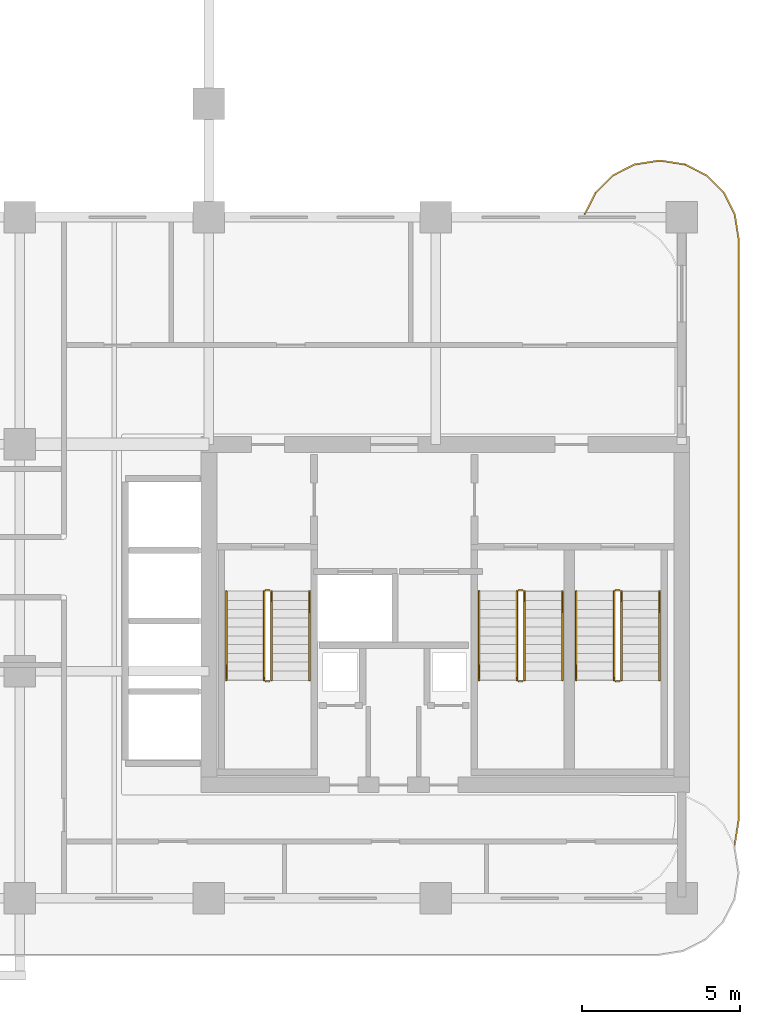
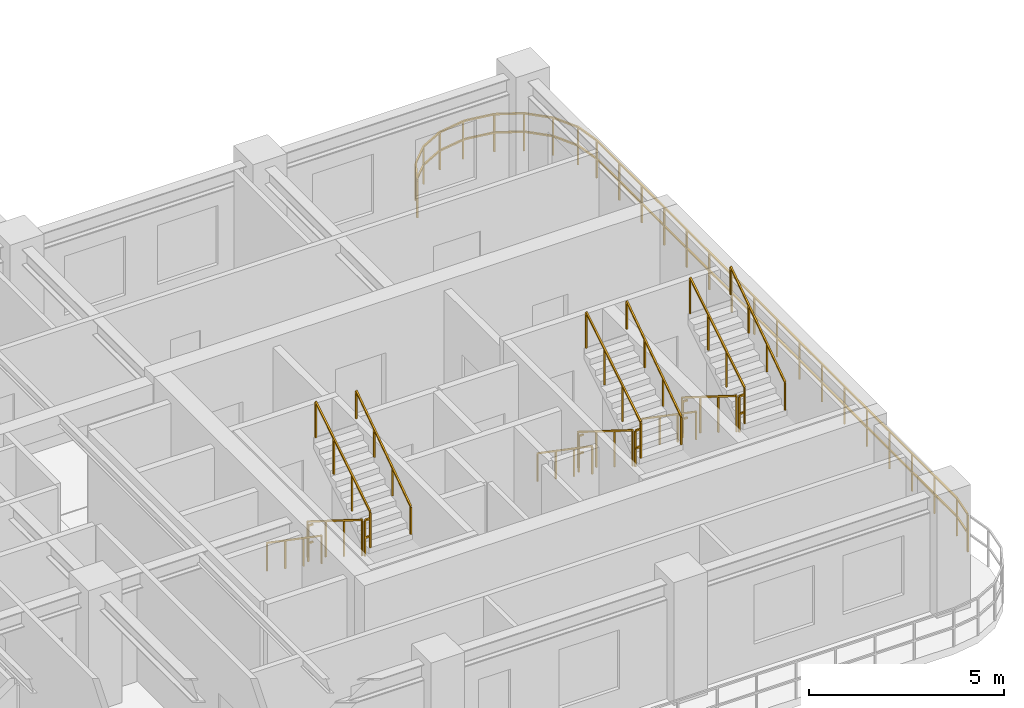
# One storey, part 12 of 14: 19 railings.
"""IFC4 building model written with IfcOpenShell, lengths in metres."""

import ifcopenshell
import ifcopenshell.guid

model = None  # the IFC model being written
_history = None  # IfcOwnerHistory: only IFC2X3 demands one
_inside = {}  # id of a spatial element -> (the spatial element, [elements in it])
_under = {}  # id of a project, library or spatial element -> (it, [spatial elements below it])
_declared = {}  # id of a project -> (the project, [libraries it declares])
_typed = {}  # id of a type object -> (the type object, [elements of that type])
_made_of = {}  # id of a material, layer set ... -> (it, [elements and type objects made of it])


def new_model(schema):
    """Start an empty IFC model of exactly this schema.

    Asked for "IFC4X3", IfcOpenShell would pick the latest addendum, in which some entities
    have other attributes; the version numbers below select the first issue.
    IFC2X3 requires an IfcOwnerHistory on every rooted entity: one is made here for all.
    """
    global model, _history
    if schema == "IFC4X3":
        model = ifcopenshell.file(schema_version=(4, 3, 0, 0))
    else:
        model = ifcopenshell.file(schema=schema)
    _inside.clear()
    _under.clear()
    _declared.clear()
    _typed.clear()
    _made_of.clear()
    _history = None
    if model.schema == "IFC2X3":
        org = make("IfcOrganization", Name="unknown")
        user = make(
            "IfcPersonAndOrganization",
            ThePerson=make("IfcPerson", FamilyName="unknown"),
            TheOrganization=org,
        )
        app = make(
            "IfcApplication",
            ApplicationDeveloper=org,
            Version="unknown",
            ApplicationFullName="unknown",
            ApplicationIdentifier="unknown",
        )
        _history = make(
            "IfcOwnerHistory",
            OwningUser=user,
            OwningApplication=app,
            ChangeAction="ADDED",
            CreationDate=0,
        )
    return model


def make(cls, **values):
    """One entity of the class cls with the attributes given. An attribute that is None is left unset."""
    return model.create_entity(
        cls, **{name: value for name, value in values.items() if value is not None}
    )


def rooted(cls, **values):
    """An entity with a GlobalId (a new one), such as an element, a storey or a relation."""
    return make(cls, GlobalId=ifcopenshell.guid.new(), OwnerHistory=_history, **values)


def si_unit(unit_type, name, prefix=None):
    """IfcSIUnit, for example si_unit("LENGTHUNIT", "METRE", prefix="MILLI")."""
    return make("IfcSIUnit", UnitType=unit_type, Prefix=prefix, Name=name)


def derived_unit(unit_type, elements):
    """IfcDerivedUnit: a product of units, each with its exponent."""
    return make(
        "IfcDerivedUnit",
        Elements=[
            make("IfcDerivedUnitElement", Unit=unit, Exponent=power)
            for unit, power in elements
        ],
        UnitType=unit_type,
    )


def assignment(units):
    """IfcUnitAssignment: the units of a project."""
    return None if units is None else make("IfcUnitAssignment", Units=units)


def point(xyz):
    """IfcCartesianPoint."""
    return None if xyz is None else make("IfcCartesianPoint", Coordinates=xyz)


def direction(xyz):
    """IfcDirection."""
    return None if xyz is None else make("IfcDirection", DirectionRatios=xyz)


def frame(location, z_axis=None, x_axis=None):
    """IfcAxis2Placement3D, a coordinate frame: its origin and axes. An axis left out is left unset."""
    return make(
        "IfcAxis2Placement3D",
        Location=point(location),
        Axis=direction(z_axis),
        RefDirection=direction(x_axis),
    )


def frame_2d(location, x_axis=None):
    """IfcAxis2Placement2D, a coordinate frame in the plane: its origin and x axis."""
    return make(
        "IfcAxis2Placement2D", Location=point(location), RefDirection=direction(x_axis)
    )


def origin():
    """The frame at (0, 0, 0) with its axes left unset."""
    return frame((0.0, 0.0, 0.0))


def origin_2d():
    """The frame at (0, 0) in the plane with its x axis left unset."""
    return frame_2d((0.0, 0.0))


def place(relative_to, where):
    """IfcLocalPlacement: puts the frame where relative to a parent placement (None: the world)."""
    return make(
        "IfcLocalPlacement", PlacementRelTo=relative_to, RelativePlacement=where
    )


def context(
    kind, dimensions, precision=None, world=None, true_north=None, identifier=None
):
    """IfcGeometricRepresentationContext, for example the 3D "Model" context."""
    return make(
        "IfcGeometricRepresentationContext",
        ContextIdentifier=identifier,
        ContextType=kind,
        CoordinateSpaceDimension=dimensions,
        Precision=precision,
        WorldCoordinateSystem=world,
        TrueNorth=true_north,
    )


def subcontext(parent, identifier, kind, view, scale=None):
    """IfcGeometricRepresentationSubContext, for example "Body" below "Model"."""
    return make(
        "IfcGeometricRepresentationSubContext",
        ContextIdentifier=identifier,
        ContextType=kind,
        ParentContext=parent,
        TargetScale=scale,
        TargetView=view,
    )


def project(units=None, contexts=None):
    """IfcProject with its units and contexts."""
    return rooted(
        "IfcProject",
        Name="project",
        RepresentationContexts=contexts,
        UnitsInContext=assignment(units),
    )


def spatial(cls, under=None, at=None, **own):
    """A site, building, storey or space (cls), placed at a placement, below another one or the project."""
    s = rooted(cls, ObjectPlacement=at, **own)
    if under is not None:
        _under.setdefault(under.id(), (under, []))[1].append(s)
    return s


def profile(cls, at=None, kind="AREA", **sizes):
    """A parametric profile (cls). Its sizes go by their IFC names, for example OverallWidth=200.0."""
    return make(cls, ProfileType=kind, Position=at, **sizes)


def rectangle(**sizes):
    """IfcRectangleProfileDef."""
    return profile("IfcRectangleProfileDef", **sizes)


def extrude(swept, where, along, depth):
    """IfcExtrudedAreaSolid: the profile swept, set in the frame where, extruded along a direction by depth."""
    return make(
        "IfcExtrudedAreaSolid",
        SweptArea=swept,
        Position=where,
        ExtrudedDirection=direction(along),
        Depth=depth,
    )


def shape(context_of_items, identifier, shape_type, items):
    """IfcShapeRepresentation: the items that make up one representation, for example the "Body"."""
    return make(
        "IfcShapeRepresentation",
        ContextOfItems=context_of_items,
        RepresentationIdentifier=identifier,
        RepresentationType=shape_type,
        Items=items,
    )


def material(Name=None, Category=None):
    """IfcMaterial."""
    return make("IfcMaterial", Name=Name, Category=Category)


def made_of(thing, what):
    """Note that an element or type object is made of a material, layer set ...; save() writes the relation."""
    if what is not None:
        _made_of.setdefault(what.id(), (what, []))[1].append(thing)
    return thing


def type_object(cls, material=None, **own):
    """A type object (cls), such as IfcWallType, which elements share."""
    return made_of(rooted(cls, **own), material)


def element(
    cls,
    number,
    at=None,
    inside=None,
    cuts=None,
    type_object=None,
    material=None,
    context=None,
    identifier="Body",
    shape_type=None,
    held_by="IfcProductDefinitionShape",
    body=None,
    shapes=None,
    **own,
):
    """One element of the class cls, such as IfcWall. Its Tag is "e" and its number.

    at: its placement. inside: the storey or other place that contains it. cuts: it is an
    opening in that element (IfcRelVoidsElement). A single representation is given by context,
    identifier, shape_type and body (its items); several are given by shapes. held_by: the class
    of the entity that holds the representations. save() writes the other relations.
    """
    e = rooted(cls, Tag="e%d" % number, ObjectPlacement=at, **own)
    if body is not None:
        shapes = [shape(context, identifier, shape_type, body)]
    if shapes is not None:
        e.Representation = make(held_by, Representations=shapes)
    if inside is not None:
        _inside.setdefault(inside.id(), (inside, []))[1].append(e)
    if cuts is not None:
        rooted(
            "IfcRelVoidsElement", RelatingBuildingElement=cuts, RelatedOpeningElement=e
        )
    if type_object is not None:
        _typed.setdefault(type_object.id(), (type_object, []))[1].append(e)
    return made_of(e, material)


def aggregate(whole, parts):
    """IfcRelAggregates: a whole, such as a stair, and the parts it consists of."""
    return rooted("IfcRelAggregates", RelatingObject=whole, RelatedObjects=parts)


def save(model, path):
    """Write the relations noted so far, then the file.

    IfcRelAggregates (storeys below a building ...), IfcRelContainedInSpatialStructure (elements
    in a storey), IfcRelDefinesByType, IfcRelAssociatesMaterial and IfcRelDeclares: one each for
    every whole, place, type object, material and project.
    """
    for whole, parts in _under.values():
        aggregate(whole, parts)
    for where, things in _inside.values():
        rooted(
            "IfcRelContainedInSpatialStructure",
            RelatedElements=things,
            RelatingStructure=where,
        )
    for kind, things in _typed.values():
        rooted("IfcRelDefinesByType", RelatedObjects=things, RelatingType=kind)
    for what, things in _made_of.values():
        rooted("IfcRelAssociatesMaterial", RelatedObjects=things, RelatingMaterial=what)
    for by, libraries in _declared.values():
        rooted("IfcRelDeclares", RelatingContext=by, RelatedDefinitions=libraries)
    model.write(path)


model = new_model("IFC4")

# Units and contexts
model_context = context("Model", 3, precision=1e-05, world=origin(), true_north=direction((0.0, 1.0)))
body_context = subcontext(model_context, "Body", "Model", "MODEL_VIEW")
ifc_project = project(units=[si_unit("LENGTHUNIT", "METRE"), si_unit("AREAUNIT", "SQUARE_METRE"), si_unit("VOLUMEUNIT", "CUBIC_METRE"), si_unit("PLANEANGLEUNIT", "RADIAN"), si_unit("MASSUNIT", "GRAM", prefix="KILO"), si_unit("THERMODYNAMICTEMPERATUREUNIT", "KELVIN"), si_unit("POWERUNIT", "WATT"), derived_unit("THERMALTRANSMITTANCEUNIT", [(si_unit("POWERUNIT", "WATT"), 1), (si_unit("AREAUNIT", "SQUARE_METRE"), -1), (si_unit("THERMODYNAMICTEMPERATUREUNIT", "KELVIN"), -1)])], contexts=[model_context])

# Site, building, storey
site_placement = place(None, origin())
site = spatial("IfcSite", under=ifc_project, at=site_placement, CompositionType="ELEMENT")
building_placement = place(site_placement, origin())
building = spatial("IfcBuilding", under=site, at=building_placement, Name="Zahravan Archway Hotel and Residences", CompositionType="ELEMENT")
storey_placement = place(building_placement, frame((0.0, 0.0, 188.800048828125)))
storey = spatial("IfcBuildingStorey", under=building, at=storey_placement, Name="L47", CompositionType="ELEMENT", Elevation=188.800048828125)

# Railings
ifc_material_1 = material(Name="Bronze & Laminated Glass Balustrade", Category="glass")
railing_type_1 = type_object("IfcRailingType", Name="RL-BAL-1200", PredefinedType="BALUSTRADE", material=ifc_material_1)
railing_1_placement = place(storey_placement, frame((46.719970703125, 21.70703125, 0.0)))
element("IfcRailing", 1, at=railing_1_placement, inside=storey, type_object=railing_type_1, Name="L47 Balustrade RL-SLB-BAL-L47-EA-1", PredefinedType="BALUSTRADE", context=body_context, shape_type="SweptSolid", body=[
    extrude(rectangle(XDim=0.048095703125, YDim=0.048095703125, at=origin_2d()), frame((0.0, 0.0, 1.17578125), z_axis=(0.453825591531, 0.891090529897, 0.0), x_axis=(-0.891090529897, 0.453825591531, 0.0)), (0.0, 0.0, 1.0), 0.7666015625),
    extrude(rectangle(XDim=0.048095703125, YDim=0.048095703125, at=origin_2d()), frame((0.0, 0.0, 0.60009765625), z_axis=(0.453825591531, 0.891090529897, 0.0), x_axis=(-0.891090529897, 0.453825591531, 0.0)), (0.0, 0.0, 1.0), 0.7666015625),
    extrude(rectangle(XDim=0.048095703125, YDim=0.048095703125, at=origin_2d()), frame((0.347900390625, 0.68310546875, 1.17578125), z_axis=(0.707106781187, 0.707106781187, 0.0), x_axis=(-0.707106781187, 0.707106781187, 0.0)), (0.0, 0.0, 1.0), 0.7666015625),
    extrude(rectangle(XDim=0.048095703125, YDim=0.048095703125, at=origin_2d()), frame((0.347900390625, 0.68310546875, 0.60009765625), z_axis=(0.707106781187, 0.707106781187, 0.0), x_axis=(-0.707106781187, 0.707106781187, 0.0)), (0.0, 0.0, 1.0), 0.7666015625),
    extrude(rectangle(XDim=0.048095703125, YDim=0.048095703125, at=origin_2d()), frame((0.889892578125, 1.22509765625, 1.17578125), z_axis=(0.891090529897, 0.453825591531, 0.0), x_axis=(-0.453825591531, 0.891090529897, 0.0)), (0.0, 0.0, 1.0), 0.7666015625),
    extrude(rectangle(XDim=0.048095703125, YDim=0.048095703125, at=origin_2d()), frame((0.889892578125, 1.22509765625, 0.60009765625), z_axis=(0.891090529897, 0.453825591531, 0.0), x_axis=(-0.453825591531, 0.891090529897, 0.0)), (0.0, 0.0, 1.0), 0.7666015625),
    extrude(rectangle(XDim=0.048095703125, YDim=0.048095703125, at=origin_2d()), frame((1.572998046875, 1.572998046875, 1.17578125), z_axis=(0.987695728695, 0.156387811283, 0.0), x_axis=(-0.156387811283, 0.987695728695, 0.0)), (0.0, 0.0, 1.0), 0.7666015625),
    extrude(rectangle(XDim=0.048095703125, YDim=0.048095703125, at=origin_2d()), frame((1.572998046875, 1.572998046875, 0.60009765625), z_axis=(0.987695728695, 0.156387811283, 0.0), x_axis=(-0.156387811283, 0.987695728695, 0.0)), (0.0, 0.0, 1.0), 0.7666015625),
    extrude(rectangle(XDim=0.048095703125, YDim=0.048095703125, at=origin_2d()), frame((2.330078125, 1.69287109375, 1.17578125), z_axis=(1.0, 0.0, 0.0), x_axis=(0.0, 1.0, 0.0)), (0.0, 0.0, 1.0), 0.099853515625),
    extrude(rectangle(XDim=0.048095703125, YDim=0.048095703125, at=origin_2d()), frame((2.330078125, 1.69287109375, 0.60009765625), z_axis=(1.0, 0.0, 0.0), x_axis=(0.0, 1.0, 0.0)), (0.0, 0.0, 1.0), 0.099853515625),
    extrude(rectangle(XDim=0.048095703125, YDim=0.048095703125, at=origin_2d()), frame((2.429931640625, 1.69287109375, 1.17578125), z_axis=(0.987695728695, -0.156387811283, 0.0), x_axis=(0.156387811283, 0.987695728695, 0.0)), (0.0, 0.0, 1.0), 0.7666015625),
    extrude(rectangle(XDim=0.048095703125, YDim=0.048095703125, at=origin_2d()), frame((2.429931640625, 1.69287109375, 0.60009765625), z_axis=(0.987695728695, -0.156387811283, 0.0), x_axis=(0.156387811283, 0.987695728695, 0.0)), (0.0, 0.0, 1.0), 0.7666015625),
    extrude(rectangle(XDim=0.048095703125, YDim=0.048095703125, at=origin_2d()), frame((3.18701171875, 1.572998046875, 1.17578125), z_axis=(0.891090529897, -0.453825591531, 0.0), x_axis=(0.453825591531, 0.891090529897, 0.0)), (0.0, 0.0, 1.0), 0.7666015625),
    extrude(rectangle(XDim=0.048095703125, YDim=0.048095703125, at=origin_2d()), frame((3.18701171875, 1.572998046875, 0.60009765625), z_axis=(0.891090529897, -0.453825591531, 0.0), x_axis=(0.453825591531, 0.891090529897, 0.0)), (0.0, 0.0, 1.0), 0.7666015625),
    extrude(rectangle(XDim=0.048095703125, YDim=0.048095703125, at=origin_2d()), frame((3.8701171875, 1.22509765625, 1.17578125), z_axis=(0.707106781187, -0.707106781187, 0.0), x_axis=(0.707106781187, 0.707106781187, 0.0)), (0.0, 0.0, 1.0), 0.7666015625),
    extrude(rectangle(XDim=0.048095703125, YDim=0.048095703125, at=origin_2d()), frame((3.8701171875, 1.22509765625, 0.60009765625), z_axis=(0.707106781187, -0.707106781187, 0.0), x_axis=(0.707106781187, 0.707106781187, 0.0)), (0.0, 0.0, 1.0), 0.7666015625),
    extrude(rectangle(XDim=0.048095703125, YDim=0.048095703125, at=origin_2d()), frame((4.412109375, 0.68310546875, 1.17578125), z_axis=(0.453825591531, -0.891090529897, 0.0), x_axis=(0.891090529897, 0.453825591531, 0.0)), (0.0, 0.0, 1.0), 0.7666015625),
    extrude(rectangle(XDim=0.048095703125, YDim=0.048095703125, at=origin_2d()), frame((4.412109375, 0.68310546875, 0.60009765625), z_axis=(0.453825591531, -0.891090529897, 0.0), x_axis=(0.891090529897, 0.453825591531, 0.0)), (0.0, 0.0, 1.0), 0.7666015625),
    extrude(rectangle(XDim=0.048095703125, YDim=0.048095703125, at=origin_2d()), frame((4.760009765625, 0.0, 1.17578125), z_axis=(0.156698507018, -0.987646484274, 0.0), x_axis=(0.987646484274, 0.156698507018, 0.0)), (0.0, 0.0, 1.0), 0.7666015625),
    extrude(rectangle(XDim=0.048095703125, YDim=0.048095703125, at=origin_2d()), frame((4.760009765625, 0.0, 0.60009765625), z_axis=(0.156698507018, -0.987646484274, 0.0), x_axis=(0.987646484274, 0.156698507018, 0.0)), (0.0, 0.0, 1.0), 0.7666015625),
    extrude(rectangle(XDim=0.048095703125, YDim=0.048095703125, at=origin_2d()), frame((4.880126953125, -0.757080078125, 1.17578125), z_axis=(0.0, -1.0, 0.0), x_axis=(1.0, 0.0, 0.0)), (0.0, 0.0, 1.0), 18.5),
    extrude(rectangle(XDim=0.048095703125, YDim=0.048095703125, at=origin_2d()), frame((4.880126953125, -0.757080078125, 0.60009765625), z_axis=(0.0, -1.0, 0.0), x_axis=(1.0, 0.0, 0.0)), (0.0, 0.0, 1.0), 18.5),
    extrude(rectangle(XDim=0.048095703125, YDim=0.048095703125, at=origin_2d()), frame((4.880126953125, -19.257080078125, 1.17578125), z_axis=(-0.156698507018, -0.987646484274, 0.0), x_axis=(0.987646484274, -0.156698507018, 0.0)), (0.0, 0.0, 1.0), 0.7666015625),
    extrude(rectangle(XDim=0.048095703125, YDim=0.048095703125, at=origin_2d()), frame((4.880126953125, -19.257080078125, 0.60009765625), z_axis=(-0.156698507018, -0.987646484274, 0.0), x_axis=(0.987646484274, -0.156698507018, 0.0)), (0.0, 0.0, 1.0), 0.7666015625),
    extrude(rectangle(XDim=0.0419921875, YDim=0.0419921875, at=origin_2d()), origin(), (0.0, 0.0, 1.0), 1.15185546875),
    extrude(rectangle(XDim=0.0419921875, YDim=0.0419921875, at=origin_2d()), frame((0.347900390625, 0.68310546875, 0.0)), (0.0, 0.0, 1.0), 1.15185546875),
    extrude(rectangle(XDim=0.0419921875, YDim=0.0419921875, at=origin_2d()), frame((0.889892578125, 1.22509765625, 0.0)), (0.0, 0.0, 1.0), 1.15185546875),
    extrude(rectangle(XDim=0.0419921875, YDim=0.0419921875, at=origin_2d()), frame((1.572998046875, 1.572998046875, 0.0)), (0.0, 0.0, 1.0), 1.15185546875),
    extrude(rectangle(XDim=0.0419921875, YDim=0.0419921875, at=origin_2d()), frame((2.330078125, 1.69287109375, 0.0)), (0.0, 0.0, 1.0), 1.15185546875),
    extrude(rectangle(XDim=0.0419921875, YDim=0.0419921875, at=origin_2d()), frame((3.18701171875, 1.572998046875, 0.0)), (0.0, 0.0, 1.0), 1.15185546875),
    extrude(rectangle(XDim=0.0419921875, YDim=0.0419921875, at=origin_2d()), frame((3.8701171875, 1.22509765625, 0.0)), (0.0, 0.0, 1.0), 1.15185546875),
    extrude(rectangle(XDim=0.0419921875, YDim=0.0419921875, at=origin_2d()), frame((4.412109375, 0.68310546875, 0.0)), (0.0, 0.0, 1.0), 1.15185546875),
    extrude(rectangle(XDim=0.0419921875, YDim=0.0419921875, at=origin_2d()), frame((4.760009765625, 0.0, 0.0)), (0.0, 0.0, 1.0), 1.15185546875),
    extrude(rectangle(XDim=0.0419921875, YDim=0.0419921875, at=origin_2d()), frame((4.880126953125, -0.757080078125, 0.0)), (0.0, 0.0, 1.0), 1.15185546875),
    extrude(rectangle(XDim=0.0419921875, YDim=0.0419921875, at=origin_2d()), frame((4.880126953125, -1.913330078125, 0.0)), (0.0, 0.0, 1.0), 1.15185546875),
    extrude(rectangle(XDim=0.0419921875, YDim=0.0419921875, at=origin_2d()), frame((4.880126953125, -3.069580078125, 0.0)), (0.0, 0.0, 1.0), 1.15185546875),
    extrude(rectangle(XDim=0.0419921875, YDim=0.0419921875, at=origin_2d()), frame((4.880126953125, -4.225830078125, 0.0)), (0.0, 0.0, 1.0), 1.15185546875),
    extrude(rectangle(XDim=0.0419921875, YDim=0.0419921875, at=origin_2d()), frame((4.880126953125, -5.382080078125, 0.0)), (0.0, 0.0, 1.0), 1.15185546875),
    extrude(rectangle(XDim=0.0419921875, YDim=0.0419921875, at=origin_2d()), frame((4.880126953125, -6.538330078125, 0.0)), (0.0, 0.0, 1.0), 1.15185546875),
    extrude(rectangle(XDim=0.0419921875, YDim=0.0419921875, at=origin_2d()), frame((4.880126953125, -7.694580078125, 0.0)), (0.0, 0.0, 1.0), 1.15185546875),
    extrude(rectangle(XDim=0.0419921875, YDim=0.0419921875, at=origin_2d()), frame((4.880126953125, -8.850830078125, 0.0)), (0.0, 0.0, 1.0), 1.15185546875),
    extrude(rectangle(XDim=0.0419921875, YDim=0.0419921875, at=origin_2d()), frame((4.880126953125, -10.007080078125, 0.0)), (0.0, 0.0, 1.0), 1.15185546875),
    extrude(rectangle(XDim=0.0419921875, YDim=0.0419921875, at=origin_2d()), frame((4.880126953125, -11.163330078125, 0.0)), (0.0, 0.0, 1.0), 1.15185546875),
    extrude(rectangle(XDim=0.0419921875, YDim=0.0419921875, at=origin_2d()), frame((4.880126953125, -12.319580078125, 0.0)), (0.0, 0.0, 1.0), 1.15185546875),
    extrude(rectangle(XDim=0.0419921875, YDim=0.0419921875, at=origin_2d()), frame((4.880126953125, -13.475830078125, 0.0)), (0.0, 0.0, 1.0), 1.15185546875),
    extrude(rectangle(XDim=0.0419921875, YDim=0.0419921875, at=origin_2d()), frame((4.880126953125, -14.632080078125, 0.0)), (0.0, 0.0, 1.0), 1.15185546875),
    extrude(rectangle(XDim=0.0419921875, YDim=0.0419921875, at=origin_2d()), frame((4.880126953125, -15.788330078125, 0.0)), (0.0, 0.0, 1.0), 1.15185546875),
    extrude(rectangle(XDim=0.0419921875, YDim=0.0419921875, at=origin_2d()), frame((4.880126953125, -16.944580078125, 0.0)), (0.0, 0.0, 1.0), 1.15185546875),
    extrude(rectangle(XDim=0.0419921875, YDim=0.0419921875, at=origin_2d()), frame((4.880126953125, -18.100830078125, 0.0)), (0.0, 0.0, 1.0), 1.15185546875),
    extrude(rectangle(XDim=0.0419921875, YDim=0.0419921875, at=origin_2d()), frame((4.880126953125, -19.257080078125, 0.0)), (0.0, 0.0, 1.0), 1.15185546875),
    extrude(rectangle(XDim=0.0419921875, YDim=0.0419921875, at=origin_2d()), frame((4.760009765625, -20.01416015625, 0.0)), (0.0, 0.0, 1.0), 1.15185546875),
])
ifc_material_2 = material(Name="Painted Tubular Steel", Category="steel")
railing_type_2 = type_object("IfcRailingType", Name="RL-STG-1150", PredefinedType="GUARDRAIL", material=ifc_material_2)
railing_2_placement = place(storey_placement, frame((36.550048828125, 9.72998046875, 0.175048828125)))
element("IfcRailing", 2, at=railing_2_placement, inside=storey, type_object=railing_type_2, Name="L47 ST-A1 stair guard 1", PredefinedType="GUARDRAIL", context=body_context, shape_type="SweptSolid", body=[
    extrude(rectangle(XDim=0.048095703125, YDim=0.048095703125, at=origin_2d()), frame((0.0, 0.0, 1.1259765625), z_axis=(0.0, -0.848002457836, 0.529992293815), x_axis=(1.0, 0.0, 0.0)), (0.0, 0.0, 1.0), 3.302001953125),
    extrude(rectangle(XDim=0.0419921875, YDim=0.0419921875, at=origin_2d()), origin(), (0.0, 0.0, 1.0), 1.101806640625),
    extrude(rectangle(XDim=0.0419921875, YDim=0.0419921875, at=origin_2d()), frame((0.0, -0.933349609375, 0.583251953125)), (0.0, 0.0, 1.0), 1.101806640625),
    extrude(rectangle(XDim=0.0419921875, YDim=0.0419921875, at=origin_2d()), frame((0.0, -1.86669921875, 1.166748046875)), (0.0, 0.0, 1.0), 1.101806640625),
    extrude(rectangle(XDim=0.0419921875, YDim=0.0419921875, at=origin_2d()), frame((0.0, -2.800048828125, 1.75)), (0.0, 0.0, 1.0), 1.101806640625),
])
railing_3_placement = place(storey_placement, frame((36.60009765625, 6.8798828125, 1.925048828125)))
element("IfcRailing", 3, at=railing_3_placement, inside=storey, type_object=railing_type_2, Name="L47 ST-A1 stair guard 2", PredefinedType="GUARDRAIL", context=body_context, shape_type="SweptSolid", body=[
    extrude(rectangle(XDim=0.048095703125, YDim=0.048095703125, at=origin_2d()), frame((0.0, 0.0, 1.1259765625), z_axis=(1.0, 0.0, 0.0), x_axis=(0.0, 1.0, 0.0)), (0.0, 0.0, 1.0), 0.139892578125),
    extrude(rectangle(XDim=0.048095703125, YDim=0.048095703125, at=origin_2d()), frame((0.0, 0.0, 0.574951171875), z_axis=(1.0, 0.0, 0.0), x_axis=(0.0, 1.0, 0.0)), (0.0, 0.0, 1.0), 0.139892578125),
    extrude(rectangle(XDim=0.0419921875, YDim=0.0419921875, at=origin_2d()), origin(), (0.0, 0.0, 1.0), 1.101806640625),
])
railing_4_placement = place(storey_placement, frame((36.7900390625, 6.929931640625, 2.099853515625)))
element("IfcRailing", 4, at=railing_4_placement, inside=storey, type_object=railing_type_2, Name="L47 ST-A1 stair guard 3", PredefinedType="GUARDRAIL", context=body_context, shape_type="SweptSolid", body=[
    extrude(rectangle(XDim=0.048095703125, YDim=0.048095703125, at=origin_2d()), frame((0.0, 0.0, 1.1259765625), z_axis=(0.0, 0.848002457836, 0.529992293815), x_axis=(-1.0, 0.0, 0.0)), (0.0, 0.0, 1.0), 3.302001953125),
    extrude(rectangle(XDim=0.0419921875, YDim=0.0419921875, at=origin_2d()), origin(), (0.0, 0.0, 1.0), 1.101806640625),
    extrude(rectangle(XDim=0.0419921875, YDim=0.0419921875, at=origin_2d()), frame((0.0, 0.933349609375, 0.583251953125)), (0.0, 0.0, 1.0), 1.101806640625),
    extrude(rectangle(XDim=0.0419921875, YDim=0.0419921875, at=origin_2d()), frame((0.0, 1.86669921875, 1.166748046875)), (0.0, 0.0, 1.0), 1.101806640625),
    extrude(rectangle(XDim=0.0419921875, YDim=0.0419921875, at=origin_2d()), frame((0.0, 2.800048828125, 1.75)), (0.0, 0.0, 1.0), 1.101806640625),
])
railing_5_placement = place(storey_placement, frame((36.60009765625, 9.780029296875, 0.0)))
element("IfcRailing", 5, at=railing_5_placement, inside=storey, type_object=railing_type_2, Name="L47 ST-A1 stair guard 4", PredefinedType="GUARDRAIL", context=body_context, shape_type="SweptSolid", body=[
    extrude(rectangle(XDim=0.048095703125, YDim=0.048095703125, at=origin_2d()), frame((0.0, 0.0, 1.1259765625), z_axis=(1.0, 0.0, 0.0), x_axis=(0.0, 1.0, 0.0)), (0.0, 0.0, 1.0), 0.139892578125),
    extrude(rectangle(XDim=0.048095703125, YDim=0.048095703125, at=origin_2d()), frame((0.0, 0.0, 0.574951171875), z_axis=(1.0, 0.0, 0.0), x_axis=(0.0, 1.0, 0.0)), (0.0, 0.0, 1.0), 0.139892578125),
    extrude(rectangle(XDim=0.0419921875, YDim=0.0419921875, at=origin_2d()), origin(), (0.0, 0.0, 1.0), 1.101806640625),
])
railing_6_placement = place(storey_placement, frame((44.570068359375, 9.72998046875, 0.175048828125)))
element("IfcRailing", 6, at=railing_6_placement, inside=storey, type_object=railing_type_2, Name="L47 ST-A2 stair guard 1", PredefinedType="GUARDRAIL", context=body_context, shape_type="SweptSolid", body=[
    extrude(rectangle(XDim=0.048095703125, YDim=0.048095703125, at=origin_2d()), frame((0.0, 0.0, 1.1259765625), z_axis=(0.0, -0.848002457836, 0.529992293815), x_axis=(1.0, 0.0, 0.0)), (0.0, 0.0, 1.0), 3.302001953125),
    extrude(rectangle(XDim=0.0419921875, YDim=0.0419921875, at=origin_2d()), origin(), (0.0, 0.0, 1.0), 1.101806640625),
    extrude(rectangle(XDim=0.0419921875, YDim=0.0419921875, at=origin_2d()), frame((0.0, -0.933349609375, 0.583251953125)), (0.0, 0.0, 1.0), 1.101806640625),
    extrude(rectangle(XDim=0.0419921875, YDim=0.0419921875, at=origin_2d()), frame((0.0, -1.86669921875, 1.166748046875)), (0.0, 0.0, 1.0), 1.101806640625),
    extrude(rectangle(XDim=0.0419921875, YDim=0.0419921875, at=origin_2d()), frame((0.0, -2.800048828125, 1.75)), (0.0, 0.0, 1.0), 1.101806640625),
])
railing_7_placement = place(storey_placement, frame((44.6201171875, 6.8798828125, 1.925048828125)))
element("IfcRailing", 7, at=railing_7_placement, inside=storey, type_object=railing_type_2, Name="L47 ST-A2 stair guard 2", PredefinedType="GUARDRAIL", context=body_context, shape_type="SweptSolid", body=[
    extrude(rectangle(XDim=0.048095703125, YDim=0.048095703125, at=origin_2d()), frame((0.0, 0.0, 1.1259765625), z_axis=(1.0, 0.0, 0.0), x_axis=(0.0, 1.0, 0.0)), (0.0, 0.0, 1.0), 0.139892578125),
    extrude(rectangle(XDim=0.048095703125, YDim=0.048095703125, at=origin_2d()), frame((0.0, 0.0, 0.574951171875), z_axis=(1.0, 0.0, 0.0), x_axis=(0.0, 1.0, 0.0)), (0.0, 0.0, 1.0), 0.139892578125),
    extrude(rectangle(XDim=0.0419921875, YDim=0.0419921875, at=origin_2d()), origin(), (0.0, 0.0, 1.0), 1.101806640625),
])
railing_8_placement = place(storey_placement, frame((44.81005859375, 6.929931640625, 2.099853515625)))
element("IfcRailing", 8, at=railing_8_placement, inside=storey, type_object=railing_type_2, Name="L47 ST-A2 stair guard 3", PredefinedType="GUARDRAIL", context=body_context, shape_type="SweptSolid", body=[
    extrude(rectangle(XDim=0.048095703125, YDim=0.048095703125, at=origin_2d()), frame((0.0, 0.0, 1.1259765625), z_axis=(0.0, 0.848002457836, 0.529992293815), x_axis=(-1.0, 0.0, 0.0)), (0.0, 0.0, 1.0), 3.302001953125),
    extrude(rectangle(XDim=0.0419921875, YDim=0.0419921875, at=origin_2d()), origin(), (0.0, 0.0, 1.0), 1.101806640625),
    extrude(rectangle(XDim=0.0419921875, YDim=0.0419921875, at=origin_2d()), frame((0.0, 0.933349609375, 0.583251953125)), (0.0, 0.0, 1.0), 1.101806640625),
    extrude(rectangle(XDim=0.0419921875, YDim=0.0419921875, at=origin_2d()), frame((0.0, 1.86669921875, 1.166748046875)), (0.0, 0.0, 1.0), 1.101806640625),
    extrude(rectangle(XDim=0.0419921875, YDim=0.0419921875, at=origin_2d()), frame((0.0, 2.800048828125, 1.75)), (0.0, 0.0, 1.0), 1.101806640625),
])
railing_9_placement = place(storey_placement, frame((44.6201171875, 9.780029296875, 0.0)))
element("IfcRailing", 9, at=railing_9_placement, inside=storey, type_object=railing_type_2, Name="L47 ST-A2 stair guard 4", PredefinedType="GUARDRAIL", context=body_context, shape_type="SweptSolid", body=[
    extrude(rectangle(XDim=0.048095703125, YDim=0.048095703125, at=origin_2d()), frame((0.0, 0.0, 1.1259765625), z_axis=(1.0, 0.0, 0.0), x_axis=(0.0, 1.0, 0.0)), (0.0, 0.0, 1.0), 0.139892578125),
    extrude(rectangle(XDim=0.048095703125, YDim=0.048095703125, at=origin_2d()), frame((0.0, 0.0, 0.574951171875), z_axis=(1.0, 0.0, 0.0), x_axis=(0.0, 1.0, 0.0)), (0.0, 0.0, 1.0), 0.139892578125),
    extrude(rectangle(XDim=0.0419921875, YDim=0.0419921875, at=origin_2d()), origin(), (0.0, 0.0, 1.0), 1.101806640625),
])
railing_10_placement = place(storey_placement, frame((47.64990234375, 9.72998046875, 0.175048828125)))
element("IfcRailing", 10, at=railing_10_placement, inside=storey, type_object=railing_type_2, Name="L47 ST-A3 stair guard 1", PredefinedType="GUARDRAIL", context=body_context, shape_type="SweptSolid", body=[
    extrude(rectangle(XDim=0.048095703125, YDim=0.048095703125, at=origin_2d()), frame((0.0, 0.0, 1.1259765625), z_axis=(0.0, -0.848002457836, 0.529992293815), x_axis=(1.0, 0.0, 0.0)), (0.0, 0.0, 1.0), 3.302001953125),
    extrude(rectangle(XDim=0.0419921875, YDim=0.0419921875, at=origin_2d()), origin(), (0.0, 0.0, 1.0), 1.101806640625),
    extrude(rectangle(XDim=0.0419921875, YDim=0.0419921875, at=origin_2d()), frame((0.0, -0.933349609375, 0.583251953125)), (0.0, 0.0, 1.0), 1.101806640625),
    extrude(rectangle(XDim=0.0419921875, YDim=0.0419921875, at=origin_2d()), frame((0.0, -1.86669921875, 1.166748046875)), (0.0, 0.0, 1.0), 1.101806640625),
    extrude(rectangle(XDim=0.0419921875, YDim=0.0419921875, at=origin_2d()), frame((0.0, -2.800048828125, 1.75)), (0.0, 0.0, 1.0), 1.101806640625),
])
railing_11_placement = place(storey_placement, frame((47.699951171875, 6.8798828125, 1.925048828125)))
element("IfcRailing", 11, at=railing_11_placement, inside=storey, type_object=railing_type_2, Name="L47 ST-A3 stair guard 2", PredefinedType="GUARDRAIL", context=body_context, shape_type="SweptSolid", body=[
    extrude(rectangle(XDim=0.048095703125, YDim=0.048095703125, at=origin_2d()), frame((0.0, 0.0, 1.1259765625), z_axis=(1.0, 0.0, 0.0), x_axis=(0.0, 1.0, 0.0)), (0.0, 0.0, 1.0), 0.14013671875),
    extrude(rectangle(XDim=0.048095703125, YDim=0.048095703125, at=origin_2d()), frame((0.0, 0.0, 0.574951171875), z_axis=(1.0, 0.0, 0.0), x_axis=(0.0, 1.0, 0.0)), (0.0, 0.0, 1.0), 0.14013671875),
    extrude(rectangle(XDim=0.0419921875, YDim=0.0419921875, at=origin_2d()), origin(), (0.0, 0.0, 1.0), 1.101806640625),
])
railing_12_placement = place(storey_placement, frame((47.889892578125, 6.929931640625, 2.099853515625)))
element("IfcRailing", 12, at=railing_12_placement, inside=storey, type_object=railing_type_2, Name="L47 ST-A3 stair guard 3", PredefinedType="GUARDRAIL", context=body_context, shape_type="SweptSolid", body=[
    extrude(rectangle(XDim=0.048095703125, YDim=0.048095703125, at=origin_2d()), frame((0.0, 0.0, 1.1259765625), z_axis=(0.0, 0.848002457836, 0.529992293815), x_axis=(-1.0, 0.0, 0.0)), (0.0, 0.0, 1.0), 3.302001953125),
    extrude(rectangle(XDim=0.0419921875, YDim=0.0419921875, at=origin_2d()), origin(), (0.0, 0.0, 1.0), 1.101806640625),
    extrude(rectangle(XDim=0.0419921875, YDim=0.0419921875, at=origin_2d()), frame((0.0, 0.933349609375, 0.583251953125)), (0.0, 0.0, 1.0), 1.101806640625),
    extrude(rectangle(XDim=0.0419921875, YDim=0.0419921875, at=origin_2d()), frame((0.0, 1.86669921875, 1.166748046875)), (0.0, 0.0, 1.0), 1.101806640625),
    extrude(rectangle(XDim=0.0419921875, YDim=0.0419921875, at=origin_2d()), frame((0.0, 2.800048828125, 1.75)), (0.0, 0.0, 1.0), 1.101806640625),
])
railing_13_placement = place(storey_placement, frame((47.699951171875, 9.780029296875, 0.0)))
element("IfcRailing", 13, at=railing_13_placement, inside=storey, type_object=railing_type_2, Name="L47 ST-A3 stair guard 4", PredefinedType="GUARDRAIL", context=body_context, shape_type="SweptSolid", body=[
    extrude(rectangle(XDim=0.048095703125, YDim=0.048095703125, at=origin_2d()), frame((0.0, 0.0, 1.1259765625), z_axis=(1.0, 0.0, 0.0), x_axis=(0.0, 1.0, 0.0)), (0.0, 0.0, 1.0), 0.14013671875),
    extrude(rectangle(XDim=0.048095703125, YDim=0.048095703125, at=origin_2d()), frame((0.0, 0.0, 0.574951171875), z_axis=(1.0, 0.0, 0.0), x_axis=(0.0, 1.0, 0.0)), (0.0, 0.0, 1.0), 0.14013671875),
    extrude(rectangle(XDim=0.0419921875, YDim=0.0419921875, at=origin_2d()), origin(), (0.0, 0.0, 1.0), 1.101806640625),
])
ifc_material_3 = material(Name="Brushed Stainless Steel", Category="steel")
railing_type_3 = type_object("IfcRailingType", Name="RL-STH-900", PredefinedType="HANDRAIL", material=ifc_material_3)
railing_14_placement = place(storey_placement, frame((35.35009765625, 9.72998046875, 0.175048828125)))
element("IfcRailing", 14, at=railing_14_placement, inside=storey, type_object=railing_type_3, Name="L47 ST-A1 stair handrail 1", PredefinedType="HANDRAIL", context=body_context, shape_type="SweptSolid", body=[
    extrude(rectangle(XDim=0.048095703125, YDim=0.048095703125, at=origin_2d()), frame((0.0, 0.0, 0.8759765625), z_axis=(0.0, -0.824073370198, 0.566483080534), x_axis=(1.0, 0.0, 0.0)), (0.0, 0.0, 1.0), 3.397705078125),
    extrude(rectangle(XDim=0.0419921875, YDim=0.0419921875, at=origin_2d()), origin(), (0.0, 0.0, 1.0), 0.851806640625),
    extrude(rectangle(XDim=0.0419921875, YDim=0.0419921875, at=origin_2d()), frame((0.0, -0.933349609375, 0.6416015625)), (0.0, 0.0, 1.0), 0.851806640625),
    extrude(rectangle(XDim=0.0419921875, YDim=0.0419921875, at=origin_2d()), frame((0.0, -1.86669921875, 1.283203125)), (0.0, 0.0, 1.0), 0.851806640625),
    extrude(rectangle(XDim=0.0419921875, YDim=0.0419921875, at=origin_2d()), frame((0.0, -2.800048828125, 1.9248046875)), (0.0, 0.0, 1.0), 0.851806640625),
])
railing_15_placement = place(storey_placement, frame((37.989990234375, 6.929931640625, 2.099853515625)))
element("IfcRailing", 15, at=railing_15_placement, inside=storey, type_object=railing_type_3, Name="L47 ST-A1 stair handrail 2", PredefinedType="HANDRAIL", context=body_context, shape_type="SweptSolid", body=[
    extrude(rectangle(XDim=0.048095703125, YDim=0.048095703125, at=origin_2d()), frame((0.0, 0.0, 0.8759765625), z_axis=(0.0, 0.824039827795, 0.566531872191), x_axis=(-1.0, 0.0, 0.0)), (0.0, 0.0, 1.0), 3.39794921875),
    extrude(rectangle(XDim=0.0419921875, YDim=0.0419921875, at=origin_2d()), origin(), (0.0, 0.0, 1.0), 0.851806640625),
    extrude(rectangle(XDim=0.0419921875, YDim=0.0419921875, at=origin_2d()), frame((0.0, 0.933349609375, 0.6416015625)), (0.0, 0.0, 1.0), 0.851806640625),
    extrude(rectangle(XDim=0.0419921875, YDim=0.0419921875, at=origin_2d()), frame((0.0, 1.86669921875, 1.283447265625)), (0.0, 0.0, 1.0), 0.851806640625),
    extrude(rectangle(XDim=0.0419921875, YDim=0.0419921875, at=origin_2d()), frame((0.0, 2.800048828125, 1.925048828125)), (0.0, 0.0, 1.0), 0.851806640625),
])
railing_16_placement = place(storey_placement, frame((43.3701171875, 9.72998046875, 0.175048828125)))
element("IfcRailing", 16, at=railing_16_placement, inside=storey, type_object=railing_type_3, Name="L47 ST-A2 stair handrail 1", PredefinedType="HANDRAIL", context=body_context, shape_type="SweptSolid", body=[
    extrude(rectangle(XDim=0.048095703125, YDim=0.048095703125, at=origin_2d()), frame((0.0, 0.0, 0.8759765625), z_axis=(0.0, -0.824073370198, 0.566483080534), x_axis=(1.0, 0.0, 0.0)), (0.0, 0.0, 1.0), 3.397705078125),
    extrude(rectangle(XDim=0.0419921875, YDim=0.0419921875, at=origin_2d()), origin(), (0.0, 0.0, 1.0), 0.851806640625),
    extrude(rectangle(XDim=0.0419921875, YDim=0.0419921875, at=origin_2d()), frame((0.0, -0.933349609375, 0.6416015625)), (0.0, 0.0, 1.0), 0.851806640625),
    extrude(rectangle(XDim=0.0419921875, YDim=0.0419921875, at=origin_2d()), frame((0.0, -1.86669921875, 1.283203125)), (0.0, 0.0, 1.0), 0.851806640625),
    extrude(rectangle(XDim=0.0419921875, YDim=0.0419921875, at=origin_2d()), frame((0.0, -2.800048828125, 1.9248046875)), (0.0, 0.0, 1.0), 0.851806640625),
])
railing_17_placement = place(storey_placement, frame((46.010009765625, 6.929931640625, 2.099853515625)))
element("IfcRailing", 17, at=railing_17_placement, inside=storey, type_object=railing_type_3, Name="L47 ST-A2 stair handrail 2", PredefinedType="HANDRAIL", context=body_context, shape_type="SweptSolid", body=[
    extrude(rectangle(XDim=0.048095703125, YDim=0.048095703125, at=origin_2d()), frame((0.0, 0.0, 0.8759765625), z_axis=(0.0, 0.824039827795, 0.566531872191), x_axis=(-1.0, 0.0, 0.0)), (0.0, 0.0, 1.0), 3.39794921875),
    extrude(rectangle(XDim=0.0419921875, YDim=0.0419921875, at=origin_2d()), origin(), (0.0, 0.0, 1.0), 0.851806640625),
    extrude(rectangle(XDim=0.0419921875, YDim=0.0419921875, at=origin_2d()), frame((0.0, 0.933349609375, 0.6416015625)), (0.0, 0.0, 1.0), 0.851806640625),
    extrude(rectangle(XDim=0.0419921875, YDim=0.0419921875, at=origin_2d()), frame((0.0, 1.86669921875, 1.283447265625)), (0.0, 0.0, 1.0), 0.851806640625),
    extrude(rectangle(XDim=0.0419921875, YDim=0.0419921875, at=origin_2d()), frame((0.0, 2.800048828125, 1.925048828125)), (0.0, 0.0, 1.0), 0.851806640625),
])
railing_18_placement = place(storey_placement, frame((46.449951171875, 9.72998046875, 0.175048828125)))
element("IfcRailing", 18, at=railing_18_placement, inside=storey, type_object=railing_type_3, Name="L47 ST-A3 stair handrail 1", PredefinedType="HANDRAIL", context=body_context, shape_type="SweptSolid", body=[
    extrude(rectangle(XDim=0.048095703125, YDim=0.048095703125, at=origin_2d()), frame((0.0, 0.0, 0.8759765625), z_axis=(0.0, -0.824073370198, 0.566483080534), x_axis=(1.0, 0.0, 0.0)), (0.0, 0.0, 1.0), 3.397705078125),
    extrude(rectangle(XDim=0.0419921875, YDim=0.0419921875, at=origin_2d()), origin(), (0.0, 0.0, 1.0), 0.851806640625),
    extrude(rectangle(XDim=0.0419921875, YDim=0.0419921875, at=origin_2d()), frame((0.0, -0.933349609375, 0.6416015625)), (0.0, 0.0, 1.0), 0.851806640625),
    extrude(rectangle(XDim=0.0419921875, YDim=0.0419921875, at=origin_2d()), frame((0.0, -1.86669921875, 1.283203125)), (0.0, 0.0, 1.0), 0.851806640625),
    extrude(rectangle(XDim=0.0419921875, YDim=0.0419921875, at=origin_2d()), frame((0.0, -2.800048828125, 1.9248046875)), (0.0, 0.0, 1.0), 0.851806640625),
])
railing_19_placement = place(storey_placement, frame((49.090087890625, 6.929931640625, 2.099853515625)))
element("IfcRailing", 19, at=railing_19_placement, inside=storey, type_object=railing_type_3, Name="L47 ST-A3 stair handrail 2", PredefinedType="HANDRAIL", context=body_context, shape_type="SweptSolid", body=[
    extrude(rectangle(XDim=0.048095703125, YDim=0.048095703125, at=origin_2d()), frame((0.0, 0.0, 0.8759765625), z_axis=(0.0, 0.824039827795, 0.566531872191), x_axis=(-1.0, 0.0, 0.0)), (0.0, 0.0, 1.0), 3.39794921875),
    extrude(rectangle(XDim=0.0419921875, YDim=0.0419921875, at=origin_2d()), origin(), (0.0, 0.0, 1.0), 0.851806640625),
    extrude(rectangle(XDim=0.0419921875, YDim=0.0419921875, at=origin_2d()), frame((0.0, 0.933349609375, 0.6416015625)), (0.0, 0.0, 1.0), 0.851806640625),
    extrude(rectangle(XDim=0.0419921875, YDim=0.0419921875, at=origin_2d()), frame((0.0, 1.86669921875, 1.283447265625)), (0.0, 0.0, 1.0), 0.851806640625),
    extrude(rectangle(XDim=0.0419921875, YDim=0.0419921875, at=origin_2d()), frame((0.0, 2.800048828125, 1.925048828125)), (0.0, 0.0, 1.0), 0.851806640625),
])

save(model, "model.ifc")
